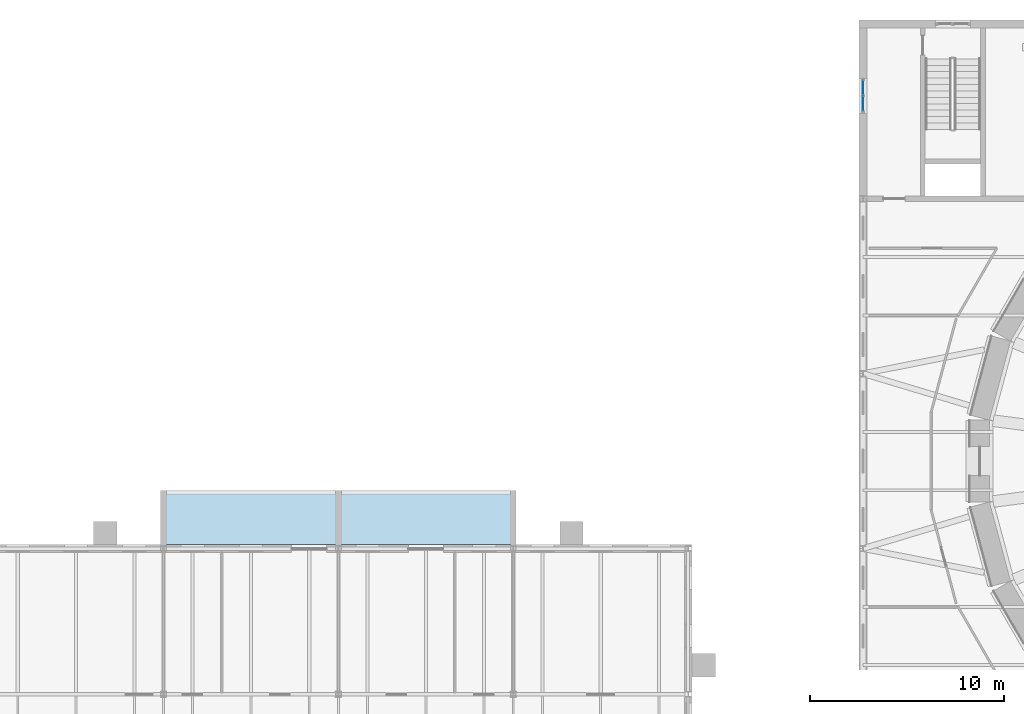
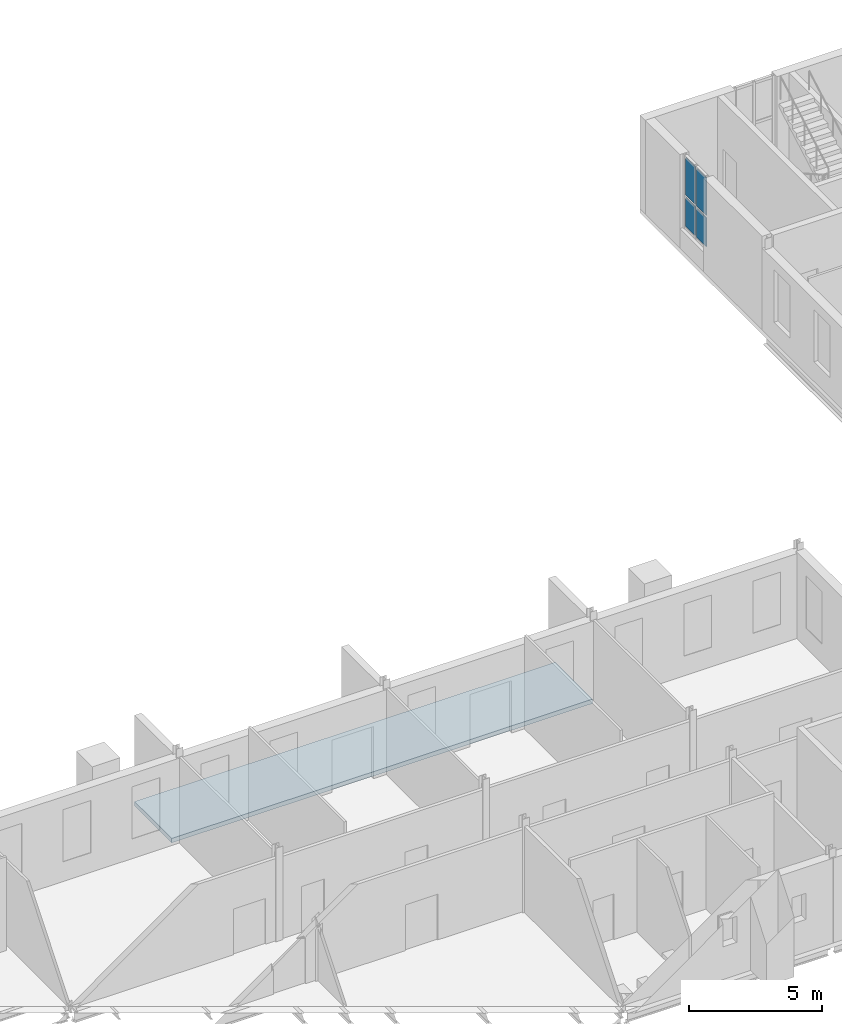
# One storey, part 65 of 131: 4 plates, 1 slab, 1 element without a shape of its own.
"""IFC4 building model written with IfcOpenShell, lengths in metres."""

from ifc_helpers import new_model, si_unit, direction, frame, origin, origin_2d, place, context, subcontext, project, spatial, polyline, rectangle, outline, extrude, material, layer, layer_set, type_object, element, aggregate, save


model = new_model("IFC4")

# Units and contexts
model_context = context("Model", 3, precision=1e-05, world=origin(), true_north=direction((0.0, 1.0)))
body_context = subcontext(model_context, "Body", "Model", "MODEL_VIEW")
ifc_project = project(units=[si_unit("LENGTHUNIT", "METRE"), si_unit("AREAUNIT", "SQUARE_METRE"), si_unit("VOLUMEUNIT", "CUBIC_METRE"), si_unit("PLANEANGLEUNIT", "RADIAN"), si_unit("MASSUNIT", "GRAM", prefix="KILO")], contexts=[model_context])

# Site, building, storey
site_placement = place(None, origin())
site = spatial("IfcSite", under=ifc_project, at=site_placement, CompositionType="ELEMENT")
building_placement = place(site_placement, origin())
building = spatial("IfcBuilding", under=site, at=building_placement, Name="Golden Quay Civic Hall", CompositionType="ELEMENT")
storey_placement = place(building_placement, frame((0.0, 0.0, 9.89990234375)))
storey = spatial("IfcBuildingStorey", under=building, at=storey_placement, Name="L02", CompositionType="ELEMENT", Elevation=9.89990234375)

# Curtain wall, plates
ifc_material_1 = material(Name="Fire-resisting glass and steel", Category="steel")
curtain_wall_type = type_object("IfcCurtainWallType", Name="Fire-resisting glazed stair curtain wall EI 120", PredefinedType="NOTDEFINED", material=ifc_material_1)
curtain_wall_placement = place(storey_placement, origin())
curtain_wall = element("IfcCurtainWall", 1, at=curtain_wall_placement, inside=storey, type_object=curtain_wall_type, Name="CW4 stair curtain wall", PredefinedType="NOTDEFINED")
ifc_material_2 = material(Name="Fire-resisting laminated glass", Category="glass")
ifc_layer_1 = layer(ifc_material_2, 0.0400390625)
ifc_layer_set_1 = layer_set([ifc_layer_1], Name="Fire-resisting glazed stair panel 40")
plate_type = type_object("IfcPlateType", Name="Fire-resisting glazed stair panel 40", PredefinedType="CURTAIN_PANEL", material=ifc_layer_set_1)
plate_1_placement = place(storey_placement, frame((63.0, 103.8798828125, 1.02001953125), z_axis=(0.0, 0.0, 1.0), x_axis=(0.0, 1.0, 0.0)))
plate_1 = element("IfcPlate", 2, at=plate_1_placement, type_object=plate_type, Name="CW4 panel 1.1", PredefinedType="CURTAIN_PANEL", context=body_context, shape_type="SweptSolid", body=[
    extrude(rectangle(XDim=0.719970703125, YDim=0.0400390625, at=origin_2d()), origin(), (0.0, 0.0, 1.0), 1.320068359375),
])
plate_2_placement = place(storey_placement, frame((63.0, 103.8798828125, 2.4599609375), z_axis=(0.0, 0.0, 1.0), x_axis=(0.0, 1.0, 0.0)))
plate_2 = element("IfcPlate", 3, at=plate_2_placement, type_object=plate_type, Name="CW4 panel 1.2", PredefinedType="CURTAIN_PANEL", context=body_context, shape_type="SweptSolid", body=[
    extrude(rectangle(XDim=0.719970703125, YDim=0.0400390625, at=origin_2d()), origin(), (0.0, 0.0, 1.0), 1.719970703125),
])
plate_3_placement = place(storey_placement, frame((63.0, 104.719970703125, 1.02001953125), z_axis=(0.0, 0.0, 1.0), x_axis=(0.0, 1.0, 0.0)))
plate_3 = element("IfcPlate", 4, at=plate_3_placement, type_object=plate_type, Name="CW4 panel 2.1", PredefinedType="CURTAIN_PANEL", context=body_context, shape_type="SweptSolid", body=[
    extrude(rectangle(XDim=0.719970703125, YDim=0.0400390625, at=origin_2d()), origin(), (0.0, 0.0, 1.0), 1.320068359375),
])
plate_4_placement = place(storey_placement, frame((63.0, 104.719970703125, 2.4599609375), z_axis=(0.0, 0.0, 1.0), x_axis=(0.0, 1.0, 0.0)))
plate_4 = element("IfcPlate", 5, at=plate_4_placement, type_object=plate_type, Name="CW4 panel 2.2", PredefinedType="CURTAIN_PANEL", context=body_context, shape_type="SweptSolid", body=[
    extrude(rectangle(XDim=0.719970703125, YDim=0.0400390625, at=origin_2d()), origin(), (0.0, 0.0, 1.0), 1.719970703125),
])
aggregate(curtain_wall, [plate_1, plate_2, plate_3, plate_4])

# Slab
ifc_material_3 = material(Name="Concrete C35/45", Category="concrete")
ifc_layer_2 = layer(ifc_material_3, 0.199951171875)
ifc_layer_set_2 = layer_set([ifc_layer_2], Name="Loggia deck 200")
slab_type = type_object("IfcSlabType", Name="Loggia deck 200", PredefinedType="FLOOR", material=ifc_layer_set_2)
slab_placement = place(storey_placement, frame((0.0, 0.0, -0.199951171875)))
element("IfcSlab", 6, at=slab_placement, inside=storey, type_object=slab_type, Name="Loggia deck 200 L02 3", PredefinedType="FLOOR", context=body_context, shape_type="SweptSolid", body=[
    extrude(outline(polyline([(26.85009765625, 81.199951171875), (45.14990234375, 81.199951171875), (45.14990234375, 84.0), (26.85009765625, 84.0), (26.85009765625, 81.199951171875)])), origin(), (0.0, 0.0, 1.0), 0.199951171875),
])

save(model, "model.ifc")
